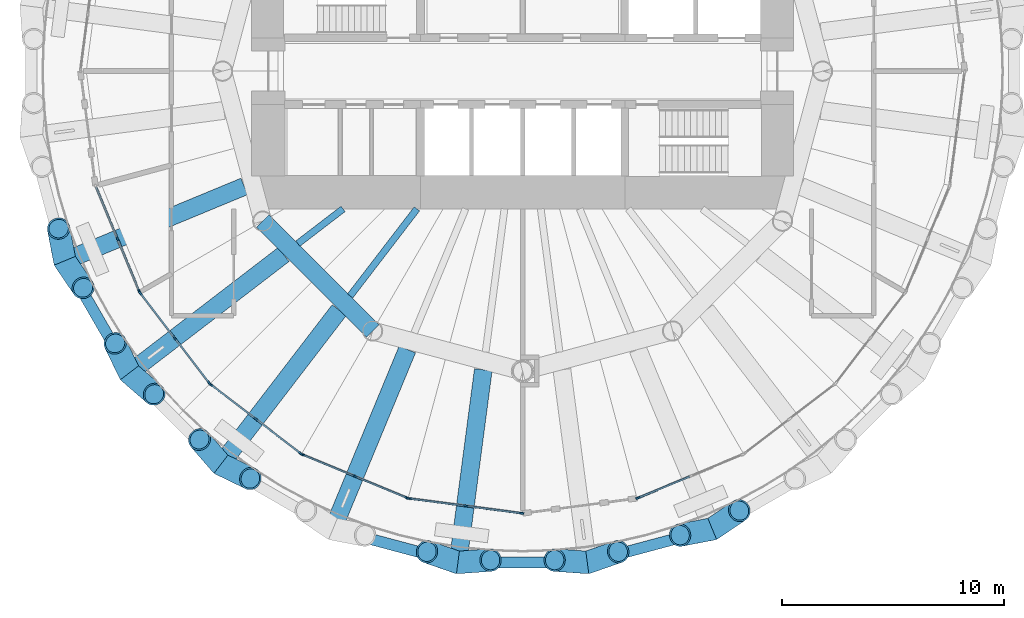
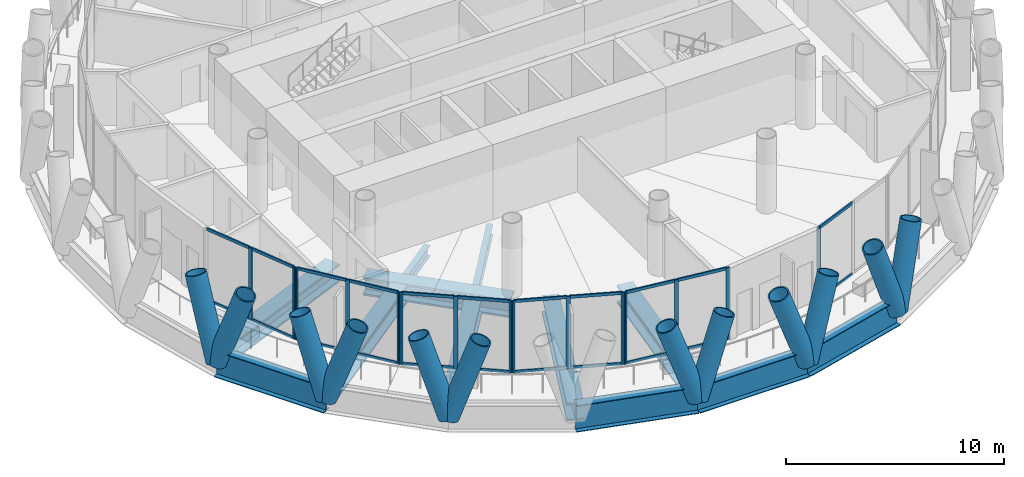
# One storey, part 2 of 16: 49 members, 12 beams, 6 elements without a shape of their own.
"""IFC4 building model written with IfcOpenShell, lengths in metres."""

import ifcopenshell
import ifcopenshell.guid

model = None  # the IFC model being written
_history = None  # IfcOwnerHistory: only IFC2X3 demands one
_inside = {}  # id of a spatial element -> (the spatial element, [elements in it])
_under = {}  # id of a project, library or spatial element -> (it, [spatial elements below it])
_declared = {}  # id of a project -> (the project, [libraries it declares])
_typed = {}  # id of a type object -> (the type object, [elements of that type])
_made_of = {}  # id of a material, layer set ... -> (it, [elements and type objects made of it])


def new_model(schema):
    """Start an empty IFC model of exactly this schema.

    Asked for "IFC4X3", IfcOpenShell would pick the latest addendum, in which some entities
    have other attributes; the version numbers below select the first issue.
    IFC2X3 requires an IfcOwnerHistory on every rooted entity: one is made here for all.
    """
    global model, _history
    if schema == "IFC4X3":
        model = ifcopenshell.file(schema_version=(4, 3, 0, 0))
    else:
        model = ifcopenshell.file(schema=schema)
    _inside.clear()
    _under.clear()
    _declared.clear()
    _typed.clear()
    _made_of.clear()
    _history = None
    if model.schema == "IFC2X3":
        org = make("IfcOrganization", Name="unknown")
        user = make(
            "IfcPersonAndOrganization",
            ThePerson=make("IfcPerson", FamilyName="unknown"),
            TheOrganization=org,
        )
        app = make(
            "IfcApplication",
            ApplicationDeveloper=org,
            Version="unknown",
            ApplicationFullName="unknown",
            ApplicationIdentifier="unknown",
        )
        _history = make(
            "IfcOwnerHistory",
            OwningUser=user,
            OwningApplication=app,
            ChangeAction="ADDED",
            CreationDate=0,
        )
    return model


def make(cls, **values):
    """One entity of the class cls with the attributes given. An attribute that is None is left unset."""
    return model.create_entity(
        cls, **{name: value for name, value in values.items() if value is not None}
    )


def rooted(cls, **values):
    """An entity with a GlobalId (a new one), such as an element, a storey or a relation."""
    return make(cls, GlobalId=ifcopenshell.guid.new(), OwnerHistory=_history, **values)


def si_unit(unit_type, name, prefix=None):
    """IfcSIUnit, for example si_unit("LENGTHUNIT", "METRE", prefix="MILLI")."""
    return make("IfcSIUnit", UnitType=unit_type, Prefix=prefix, Name=name)


def assignment(units):
    """IfcUnitAssignment: the units of a project."""
    return None if units is None else make("IfcUnitAssignment", Units=units)


def point(xyz):
    """IfcCartesianPoint."""
    return None if xyz is None else make("IfcCartesianPoint", Coordinates=xyz)


def direction(xyz):
    """IfcDirection."""
    return None if xyz is None else make("IfcDirection", DirectionRatios=xyz)


def frame(location, z_axis=None, x_axis=None):
    """IfcAxis2Placement3D, a coordinate frame: its origin and axes. An axis left out is left unset."""
    return make(
        "IfcAxis2Placement3D",
        Location=point(location),
        Axis=direction(z_axis),
        RefDirection=direction(x_axis),
    )


def frame_2d(location, x_axis=None):
    """IfcAxis2Placement2D, a coordinate frame in the plane: its origin and x axis."""
    return make(
        "IfcAxis2Placement2D", Location=point(location), RefDirection=direction(x_axis)
    )


def origin():
    """The frame at (0, 0, 0) with its axes left unset."""
    return frame((0.0, 0.0, 0.0))


def origin_2d():
    """The frame at (0, 0) in the plane with its x axis left unset."""
    return frame_2d((0.0, 0.0))


def place(relative_to, where):
    """IfcLocalPlacement: puts the frame where relative to a parent placement (None: the world)."""
    return make(
        "IfcLocalPlacement", PlacementRelTo=relative_to, RelativePlacement=where
    )


def context(
    kind, dimensions, precision=None, world=None, true_north=None, identifier=None
):
    """IfcGeometricRepresentationContext, for example the 3D "Model" context."""
    return make(
        "IfcGeometricRepresentationContext",
        ContextIdentifier=identifier,
        ContextType=kind,
        CoordinateSpaceDimension=dimensions,
        Precision=precision,
        WorldCoordinateSystem=world,
        TrueNorth=true_north,
    )


def subcontext(parent, identifier, kind, view, scale=None):
    """IfcGeometricRepresentationSubContext, for example "Body" below "Model"."""
    return make(
        "IfcGeometricRepresentationSubContext",
        ContextIdentifier=identifier,
        ContextType=kind,
        ParentContext=parent,
        TargetScale=scale,
        TargetView=view,
    )


def project(units=None, contexts=None):
    """IfcProject with its units and contexts."""
    return rooted(
        "IfcProject",
        Name="project",
        RepresentationContexts=contexts,
        UnitsInContext=assignment(units),
    )


def spatial(cls, under=None, at=None, **own):
    """A site, building, storey or space (cls), placed at a placement, below another one or the project."""
    s = rooted(cls, ObjectPlacement=at, **own)
    if under is not None:
        _under.setdefault(under.id(), (under, []))[1].append(s)
    return s


def profile(cls, at=None, kind="AREA", **sizes):
    """A parametric profile (cls). Its sizes go by their IFC names, for example OverallWidth=200.0."""
    return make(cls, ProfileType=kind, Position=at, **sizes)


def rectangle(**sizes):
    """IfcRectangleProfileDef."""
    return profile("IfcRectangleProfileDef", **sizes)


def hollow_circle(**sizes):
    """IfcCircleHollowProfileDef."""
    return profile("IfcCircleHollowProfileDef", **sizes)


def i_section(**sizes):
    """IfcIShapeProfileDef."""
    return profile("IfcIShapeProfileDef", **sizes)


def extrude(swept, where, along, depth):
    """IfcExtrudedAreaSolid: the profile swept, set in the frame where, extruded along a direction by depth."""
    return make(
        "IfcExtrudedAreaSolid",
        SweptArea=swept,
        Position=where,
        ExtrudedDirection=direction(along),
        Depth=depth,
    )


def shape(context_of_items, identifier, shape_type, items):
    """IfcShapeRepresentation: the items that make up one representation, for example the "Body"."""
    return make(
        "IfcShapeRepresentation",
        ContextOfItems=context_of_items,
        RepresentationIdentifier=identifier,
        RepresentationType=shape_type,
        Items=items,
    )


def material(Name=None, Category=None):
    """IfcMaterial."""
    return make("IfcMaterial", Name=Name, Category=Category)


def material_profile(
    of_material, cross_section, Name=None, Category=None, Priority=None
):
    """IfcMaterialProfile: a cross section and its material."""
    return make(
        "IfcMaterialProfile",
        Name=Name,
        Material=of_material,
        Profile=cross_section,
        Priority=Priority,
        Category=Category,
    )


def profile_set(profiles, Name=None, composite=None):
    """IfcMaterialProfileSet."""
    return make(
        "IfcMaterialProfileSet",
        Name=Name,
        MaterialProfiles=profiles,
        CompositeProfile=composite,
    )


def made_of(thing, what):
    """Note that an element or type object is made of a material, layer set ...; save() writes the relation."""
    if what is not None:
        _made_of.setdefault(what.id(), (what, []))[1].append(thing)
    return thing


def type_object(cls, material=None, **own):
    """A type object (cls), such as IfcWallType, which elements share."""
    return made_of(rooted(cls, **own), material)


def element(
    cls,
    number,
    at=None,
    inside=None,
    cuts=None,
    type_object=None,
    material=None,
    context=None,
    identifier="Body",
    shape_type=None,
    held_by="IfcProductDefinitionShape",
    body=None,
    shapes=None,
    **own,
):
    """One element of the class cls, such as IfcWall. Its Tag is "e" and its number.

    at: its placement. inside: the storey or other place that contains it. cuts: it is an
    opening in that element (IfcRelVoidsElement). A single representation is given by context,
    identifier, shape_type and body (its items); several are given by shapes. held_by: the class
    of the entity that holds the representations. save() writes the other relations.
    """
    e = rooted(cls, Tag="e%d" % number, ObjectPlacement=at, **own)
    if body is not None:
        shapes = [shape(context, identifier, shape_type, body)]
    if shapes is not None:
        e.Representation = make(held_by, Representations=shapes)
    if inside is not None:
        _inside.setdefault(inside.id(), (inside, []))[1].append(e)
    if cuts is not None:
        rooted(
            "IfcRelVoidsElement", RelatingBuildingElement=cuts, RelatedOpeningElement=e
        )
    if type_object is not None:
        _typed.setdefault(type_object.id(), (type_object, []))[1].append(e)
    return made_of(e, material)


def aggregate(whole, parts):
    """IfcRelAggregates: a whole, such as a stair, and the parts it consists of."""
    return rooted("IfcRelAggregates", RelatingObject=whole, RelatedObjects=parts)


def save(model, path):
    """Write the relations noted so far, then the file.

    IfcRelAggregates (storeys below a building ...), IfcRelContainedInSpatialStructure (elements
    in a storey), IfcRelDefinesByType, IfcRelAssociatesMaterial and IfcRelDeclares: one each for
    every whole, place, type object, material and project.
    """
    for whole, parts in _under.values():
        aggregate(whole, parts)
    for where, things in _inside.values():
        rooted(
            "IfcRelContainedInSpatialStructure",
            RelatedElements=things,
            RelatingStructure=where,
        )
    for kind, things in _typed.values():
        rooted("IfcRelDefinesByType", RelatedObjects=things, RelatingType=kind)
    for what, things in _made_of.values():
        rooted("IfcRelAssociatesMaterial", RelatedObjects=things, RelatingMaterial=what)
    for by, libraries in _declared.values():
        rooted("IfcRelDeclares", RelatingContext=by, RelatedDefinitions=libraries)
    model.write(path)


model = new_model("IFC4")

# Units and contexts
model_context = context("Model", 3, precision=1e-05, world=origin(), true_north=direction((0.0, 1.0)))
body_context = subcontext(model_context, "Body", "Model", "MODEL_VIEW")
ifc_project = project(units=[si_unit("LENGTHUNIT", "METRE"), si_unit("AREAUNIT", "SQUARE_METRE"), si_unit("VOLUMEUNIT", "CUBIC_METRE"), si_unit("PLANEANGLEUNIT", "RADIAN"), si_unit("MASSUNIT", "GRAM", prefix="KILO")], contexts=[model_context])

# Site, building, storey
site_placement = place(None, origin())
site = spatial("IfcSite", under=ifc_project, at=site_placement, CompositionType="ELEMENT")
building_placement = place(site_placement, origin())
building = spatial("IfcBuilding", under=site, at=building_placement, Name="Qaws Media Tower", CompositionType="ELEMENT")
storey_placement = place(building_placement, frame((0.0, 0.0, 252.800048828125)))
storey = spatial("IfcBuildingStorey", under=building, at=storey_placement, Name="L58", CompositionType="ELEMENT", Elevation=252.800048828125)

# Curtain wall, members
ifc_material_1 = material(Name="Aluminium and clear glass", Category="aluminium")
curtain_wall_type = type_object("IfcCurtainWallType", Name="Unitised curtain wall CW-C", PredefinedType="NOTDEFINED", material=ifc_material_1)
curtain_wall_1_placement = place(storey_placement, origin())
curtain_wall_1 = element("IfcCurtainWall", 1, at=curtain_wall_1_placement, inside=storey, type_object=curtain_wall_type, Name="CWC curtain wall L58-14", PredefinedType="NOTDEFINED")
ifc_material_2 = material(Name="Aluminium mullion", Category="aluminium")
ifc_material_profile_1 = material_profile(ifc_material_2, rectangle(XDim=0.080078125, YDim=0.199951171875, at=origin_2d()), Name="80x200")
ifc_profile_set_1 = profile_set([ifc_material_profile_1], Name="Aluminium mullion")
member_type_1 = type_object("IfcMemberType", Name="Curtain wall mullion 80x200", PredefinedType="MULLION", material=ifc_profile_set_1)
member_1_placement = place(storey_placement, frame((41.77197265625, 42.44970703125, 0.0), z_axis=(0.0, 0.0, 1.0), x_axis=(0.923879560196, 0.382683365528, 0.0)))
member_1 = element("IfcMember", 2, at=member_1_placement, type_object=member_type_1, Name="CWC mullion 2", PredefinedType="MULLION", context=body_context, shape_type="SweptSolid", body=[
    extrude(rectangle(XDim=0.080078125, YDim=0.199951171875, at=origin_2d()), origin(), (0.0, 0.0, 1.0), 4.0400390625),
])
member_2_placement = place(storey_placement, frame((42.750732421875, 40.0869140625, 0.0), z_axis=(0.0, 0.0, 1.0), x_axis=(0.923879560196, 0.382683365528, 0.0)))
member_2 = element("IfcMember", 3, at=member_2_placement, type_object=member_type_1, Name="CWC mullion 3", PredefinedType="MULLION", context=body_context, shape_type="SweptSolid", body=[
    extrude(rectangle(XDim=0.080078125, YDim=0.199951171875, at=origin_2d()), origin(), (0.0, 0.0, 1.0), 4.0400390625),
])

curtain_wall_2_placement = place(storey_placement, origin())
curtain_wall_2 = element("IfcCurtainWall", 4, at=curtain_wall_2_placement, inside=storey, type_object=curtain_wall_type, Name="CWC curtain wall L58-15", PredefinedType="NOTDEFINED")
member_3_placement = place(storey_placement, frame((42.79052734375, 40.018310546875, 0.0), z_axis=(0.0, 0.0, 1.0), x_axis=(0.793353306026, 0.608761473664, 0.0)))
member_3 = element("IfcMember", 5, at=member_3_placement, type_object=member_type_1, Name="CWC mullion 1", PredefinedType="MULLION", context=body_context, shape_type="SweptSolid", body=[
    extrude(rectangle(XDim=0.080078125, YDim=0.199951171875, at=origin_2d()), origin(), (0.0, 0.0, 1.0), 4.0400390625),
])
member_4_placement = place(storey_placement, frame((44.347412109375, 37.9892578125, 0.0), z_axis=(0.0, 0.0, 1.0), x_axis=(0.793353306026, 0.608761473664, 0.0)))
member_4 = element("IfcMember", 6, at=member_4_placement, type_object=member_type_1, Name="CWC mullion 2", PredefinedType="MULLION", context=body_context, shape_type="SweptSolid", body=[
    extrude(rectangle(XDim=0.080078125, YDim=0.199951171875, at=origin_2d()), origin(), (0.0, 0.0, 1.0), 4.0400390625),
])
member_5_placement = place(storey_placement, frame((45.904296875, 35.960205078125, 0.0), z_axis=(0.0, 0.0, 1.0), x_axis=(0.793353306026, 0.608761473664, 0.0)))
member_5 = element("IfcMember", 7, at=member_5_placement, type_object=member_type_1, Name="CWC mullion 3", PredefinedType="MULLION", context=body_context, shape_type="SweptSolid", body=[
    extrude(rectangle(XDim=0.080078125, YDim=0.199951171875, at=origin_2d()), origin(), (0.0, 0.0, 1.0), 4.0400390625),
])

curtain_wall_3_placement = place(storey_placement, origin())
curtain_wall_3 = element("IfcCurtainWall", 8, at=curtain_wall_3_placement, inside=storey, type_object=curtain_wall_type, Name="CWC curtain wall L58-16", PredefinedType="NOTDEFINED")
member_6_placement = place(storey_placement, frame((45.960205078125, 35.904296875, 0.0), z_axis=(0.0, 0.0, 1.0), x_axis=(0.608761473664, 0.793353306026, 0.0)))
member_6 = element("IfcMember", 9, at=member_6_placement, type_object=member_type_1, Name="CWC mullion 1", PredefinedType="MULLION", context=body_context, shape_type="SweptSolid", body=[
    extrude(rectangle(XDim=0.080078125, YDim=0.199951171875, at=origin_2d()), origin(), (0.0, 0.0, 1.0), 4.0400390625),
])
member_7_placement = place(storey_placement, frame((47.9892578125, 34.347412109375, 0.0), z_axis=(0.0, 0.0, 1.0), x_axis=(0.608761473664, 0.793353306026, 0.0)))
member_7 = element("IfcMember", 10, at=member_7_placement, type_object=member_type_1, Name="CWC mullion 2", PredefinedType="MULLION", context=body_context, shape_type="SweptSolid", body=[
    extrude(rectangle(XDim=0.080078125, YDim=0.199951171875, at=origin_2d()), origin(), (0.0, 0.0, 1.0), 4.0400390625),
])
member_8_placement = place(storey_placement, frame((50.018310546875, 32.79052734375, 0.0), z_axis=(0.0, 0.0, 1.0), x_axis=(0.608761473664, 0.793353306026, 0.0)))
member_8 = element("IfcMember", 11, at=member_8_placement, type_object=member_type_1, Name="CWC mullion 3", PredefinedType="MULLION", context=body_context, shape_type="SweptSolid", body=[
    extrude(rectangle(XDim=0.080078125, YDim=0.199951171875, at=origin_2d()), origin(), (0.0, 0.0, 1.0), 4.0400390625),
])

curtain_wall_4_placement = place(storey_placement, origin())
curtain_wall_4 = element("IfcCurtainWall", 12, at=curtain_wall_4_placement, inside=storey, type_object=curtain_wall_type, Name="CWC curtain wall L58-17", PredefinedType="NOTDEFINED")
member_9_placement = place(storey_placement, frame((50.0869140625, 32.750732421875, 0.0), z_axis=(0.0, 0.0, 1.0), x_axis=(0.382683365528, 0.923879560196, 0.0)))
member_9 = element("IfcMember", 13, at=member_9_placement, type_object=member_type_1, Name="CWC mullion 1", PredefinedType="MULLION", context=body_context, shape_type="SweptSolid", body=[
    extrude(rectangle(XDim=0.080078125, YDim=0.199951171875, at=origin_2d()), origin(), (0.0, 0.0, 1.0), 4.0400390625),
])
member_10_placement = place(storey_placement, frame((52.44970703125, 31.77197265625, 0.0), z_axis=(0.0, 0.0, 1.0), x_axis=(0.382683365528, 0.923879560196, 0.0)))
member_10 = element("IfcMember", 14, at=member_10_placement, type_object=member_type_1, Name="CWC mullion 2", PredefinedType="MULLION", context=body_context, shape_type="SweptSolid", body=[
    extrude(rectangle(XDim=0.080078125, YDim=0.199951171875, at=origin_2d()), origin(), (0.0, 0.0, 1.0), 4.0400390625),
])
member_11_placement = place(storey_placement, frame((54.8125, 30.79345703125, 0.0), z_axis=(0.0, 0.0, 1.0), x_axis=(0.382683365528, 0.923879560196, 0.0)))
member_11 = element("IfcMember", 15, at=member_11_placement, type_object=member_type_1, Name="CWC mullion 3", PredefinedType="MULLION", context=body_context, shape_type="SweptSolid", body=[
    extrude(rectangle(XDim=0.080078125, YDim=0.199951171875, at=origin_2d()), origin(), (0.0, 0.0, 1.0), 4.0400390625),
])

curtain_wall_5_placement = place(storey_placement, origin())
curtain_wall_5 = element("IfcCurtainWall", 16, at=curtain_wall_5_placement, inside=storey, type_object=curtain_wall_type, Name="CWC curtain wall L58-18", PredefinedType="NOTDEFINED")
member_12_placement = place(storey_placement, frame((54.88916015625, 30.77294921875, 0.0), z_axis=(0.0, 0.0, 1.0), x_axis=(0.130526181405, 0.991444862798, 0.0)))
member_12 = element("IfcMember", 17, at=member_12_placement, type_object=member_type_1, Name="CWC mullion 1", PredefinedType="MULLION", context=body_context, shape_type="SweptSolid", body=[
    extrude(rectangle(XDim=0.080078125, YDim=0.199951171875, at=origin_2d()), origin(), (0.0, 0.0, 1.0), 4.0400390625),
])
member_13_placement = place(storey_placement, frame((57.4248046875, 30.43896484375, 0.0), z_axis=(0.0, 0.0, 1.0), x_axis=(0.130526181405, 0.991444862798, 0.0)))
member_13 = element("IfcMember", 18, at=member_13_placement, type_object=member_type_1, Name="CWC mullion 2", PredefinedType="MULLION", context=body_context, shape_type="SweptSolid", body=[
    extrude(rectangle(XDim=0.080078125, YDim=0.199951171875, at=origin_2d()), origin(), (0.0, 0.0, 1.0), 4.0400390625),
])
member_14_placement = place(storey_placement, frame((59.96044921875, 30.105224609375, 0.0), z_axis=(0.0, 0.0, 1.0), x_axis=(0.130526181405, 0.991444862798, 0.0)))
member_14 = element("IfcMember", 19, at=member_14_placement, type_object=member_type_1, Name="CWC mullion 3", PredefinedType="MULLION", context=body_context, shape_type="SweptSolid", body=[
    extrude(rectangle(XDim=0.080078125, YDim=0.199951171875, at=origin_2d()), origin(), (0.0, 0.0, 1.0), 4.0400390625),
])

# Curtain wall, member
curtain_wall_6_placement = place(storey_placement, origin())
curtain_wall_6 = element("IfcCurtainWall", 20, at=curtain_wall_6_placement, inside=storey, type_object=curtain_wall_type, Name="CWC curtain wall L58-20", PredefinedType="NOTDEFINED")
member_15_placement = place(storey_placement, frame((65.1875, 30.79345703125, 0.0), z_axis=(0.0, 0.0, 1.0), x_axis=(-0.382683365528, 0.923879560196, 0.0)))
member_15 = element("IfcMember", 21, at=member_15_placement, type_object=member_type_1, Name="CWC mullion 1", PredefinedType="MULLION", context=body_context, shape_type="SweptSolid", body=[
    extrude(rectangle(XDim=0.080078125, YDim=0.199951171875, at=origin_2d()), origin(), (0.0, 0.0, 1.0), 4.0400390625),
])

# Member
ifc_material_3 = material(Name="Aluminium transom", Category="aluminium")
ifc_material_profile_2 = material_profile(ifc_material_3, rectangle(XDim=0.080078125, YDim=0.159912109375, at=origin_2d()), Name="80x160")
ifc_profile_set_2 = profile_set([ifc_material_profile_2], Name="Aluminium transom")
member_type_2 = type_object("IfcMemberType", Name="Curtain wall transom 80x160", PredefinedType="USERDEFINED", material=ifc_profile_set_2)
member_16_placement = place(storey_placement, frame((40.80859375, 44.775634765625, 0.0400390625), z_axis=(0.382746335528, -0.923853474659, 0.0), x_axis=(0.923853474659, 0.382746335528, 0.0)))
member_16 = element("IfcMember", 22, at=member_16_placement, type_object=member_type_2, Name="CWC transom 1.1", ObjectType="TRANSOM", PredefinedType="USERDEFINED", context=body_context, shape_type="SweptSolid", body=[
    extrude(rectangle(XDim=0.080078125, YDim=0.159912109375, at=origin_2d()), origin(), (0.0, 0.0, 1.0), 2.4775390625),
])

member_17_placement = place(storey_placement, frame((40.80859375, 44.775634765625, 4.0), z_axis=(0.382746335528, -0.923853474659, 0.0), x_axis=(0.923853474659, 0.382746335528, 0.0)))
member_17 = element("IfcMember", 23, at=member_17_placement, type_object=member_type_2, Name="CWC transom 1.2", ObjectType="TRANSOM", PredefinedType="USERDEFINED", context=body_context, shape_type="SweptSolid", body=[
    extrude(rectangle(XDim=0.080078125, YDim=0.159912109375, at=origin_2d()), origin(), (0.0, 0.0, 1.0), 2.4775390625),
])

member_18_placement = place(storey_placement, frame((41.787353515625, 42.412841796875, 0.0400390625), z_axis=(0.382746335528, -0.923853474659, 0.0), x_axis=(0.923853474659, 0.382746335528, 0.0)))
member_18 = element("IfcMember", 24, at=member_18_placement, type_object=member_type_2, Name="CWC transom 2.1", ObjectType="TRANSOM", PredefinedType="USERDEFINED", context=body_context, shape_type="SweptSolid", body=[
    extrude(rectangle(XDim=0.080078125, YDim=0.159912109375, at=origin_2d()), origin(), (0.0, 0.0, 1.0), 2.4775390625),
])

member_19_placement = place(storey_placement, frame((41.787353515625, 42.412841796875, 4.0), z_axis=(0.382746335528, -0.923853474659, 0.0), x_axis=(0.923853474659, 0.382746335528, 0.0)))
member_19 = element("IfcMember", 25, at=member_19_placement, type_object=member_type_2, Name="CWC transom 2.2", ObjectType="TRANSOM", PredefinedType="USERDEFINED", context=body_context, shape_type="SweptSolid", body=[
    extrude(rectangle(XDim=0.080078125, YDim=0.159912109375, at=origin_2d()), origin(), (0.0, 0.0, 1.0), 2.4775390625),
])

aggregate(curtain_wall_1, [member_1, member_2, member_16, member_17, member_18, member_19])

member_20_placement = place(storey_placement, frame((42.814697265625, 39.986572265625, 0.0400390625), z_axis=(0.608776960351, -0.793341422432, 0.0), x_axis=(0.793341422432, 0.608776960351, 0.0)))
member_20 = element("IfcMember", 26, at=member_20_placement, type_object=member_type_2, Name="CWC transom 1.1", ObjectType="TRANSOM", PredefinedType="USERDEFINED", context=body_context, shape_type="SweptSolid", body=[
    extrude(rectangle(XDim=0.080078125, YDim=0.159912109375, at=origin_2d()), origin(), (0.0, 0.0, 1.0), 2.4775390625),
])

member_21_placement = place(storey_placement, frame((42.814697265625, 39.986572265625, 4.0), z_axis=(0.608776960351, -0.793341422432, 0.0), x_axis=(0.793341422432, 0.608776960351, 0.0)))
member_21 = element("IfcMember", 27, at=member_21_placement, type_object=member_type_2, Name="CWC transom 1.2", ObjectType="TRANSOM", PredefinedType="USERDEFINED", context=body_context, shape_type="SweptSolid", body=[
    extrude(rectangle(XDim=0.080078125, YDim=0.159912109375, at=origin_2d()), origin(), (0.0, 0.0, 1.0), 2.4775390625),
])

member_22_placement = place(storey_placement, frame((44.37158203125, 37.95751953125, 0.0400390625), z_axis=(0.608776960351, -0.793341422432, 0.0), x_axis=(0.793341422432, 0.608776960351, 0.0)))
member_22 = element("IfcMember", 28, at=member_22_placement, type_object=member_type_2, Name="CWC transom 2.1", ObjectType="TRANSOM", PredefinedType="USERDEFINED", context=body_context, shape_type="SweptSolid", body=[
    extrude(rectangle(XDim=0.080078125, YDim=0.159912109375, at=origin_2d()), origin(), (0.0, 0.0, 1.0), 2.4775390625),
])

member_23_placement = place(storey_placement, frame((44.37158203125, 37.95751953125, 4.0), z_axis=(0.608776960351, -0.793341422432, 0.0), x_axis=(0.793341422432, 0.608776960351, 0.0)))
member_23 = element("IfcMember", 29, at=member_23_placement, type_object=member_type_2, Name="CWC transom 2.2", ObjectType="TRANSOM", PredefinedType="USERDEFINED", context=body_context, shape_type="SweptSolid", body=[
    extrude(rectangle(XDim=0.080078125, YDim=0.159912109375, at=origin_2d()), origin(), (0.0, 0.0, 1.0), 2.4775390625),
])

aggregate(curtain_wall_2, [member_3, member_4, member_5, member_20, member_21, member_22, member_23])

member_24_placement = place(storey_placement, frame((45.991943359375, 35.8798828125, 0.0400390625), z_axis=(0.793341422432, -0.608776960351, 0.0), x_axis=(0.608776960351, 0.793341422432, 0.0)))
member_24 = element("IfcMember", 30, at=member_24_placement, type_object=member_type_2, Name="CWC transom 1.1", ObjectType="TRANSOM", PredefinedType="USERDEFINED", context=body_context, shape_type="SweptSolid", body=[
    extrude(rectangle(XDim=0.080078125, YDim=0.159912109375, at=origin_2d()), origin(), (0.0, 0.0, 1.0), 2.4775390625),
])

member_25_placement = place(storey_placement, frame((45.991943359375, 35.8798828125, 4.0), z_axis=(0.793341422432, -0.608776960351, 0.0), x_axis=(0.608776960351, 0.793341422432, 0.0)))
member_25 = element("IfcMember", 31, at=member_25_placement, type_object=member_type_2, Name="CWC transom 1.2", ObjectType="TRANSOM", PredefinedType="USERDEFINED", context=body_context, shape_type="SweptSolid", body=[
    extrude(rectangle(XDim=0.080078125, YDim=0.159912109375, at=origin_2d()), origin(), (0.0, 0.0, 1.0), 2.4775390625),
])

member_26_placement = place(storey_placement, frame((48.02099609375, 34.322998046875, 0.0400390625), z_axis=(0.793341422432, -0.608776960351, 0.0), x_axis=(0.608776960351, 0.793341422432, 0.0)))
member_26 = element("IfcMember", 32, at=member_26_placement, type_object=member_type_2, Name="CWC transom 2.1", ObjectType="TRANSOM", PredefinedType="USERDEFINED", context=body_context, shape_type="SweptSolid", body=[
    extrude(rectangle(XDim=0.080078125, YDim=0.159912109375, at=origin_2d()), origin(), (0.0, 0.0, 1.0), 2.4775390625),
])

member_27_placement = place(storey_placement, frame((48.02099609375, 34.322998046875, 4.0), z_axis=(0.793341422432, -0.608776960351, 0.0), x_axis=(0.608776960351, 0.793341422432, 0.0)))
member_27 = element("IfcMember", 33, at=member_27_placement, type_object=member_type_2, Name="CWC transom 2.2", ObjectType="TRANSOM", PredefinedType="USERDEFINED", context=body_context, shape_type="SweptSolid", body=[
    extrude(rectangle(XDim=0.080078125, YDim=0.159912109375, at=origin_2d()), origin(), (0.0, 0.0, 1.0), 2.4775390625),
])

aggregate(curtain_wall_3, [member_6, member_7, member_8, member_24, member_25, member_26, member_27])

member_28_placement = place(storey_placement, frame((50.1240234375, 32.735595703125, 0.0400390625), z_axis=(0.923853474659, -0.382746335528, 0.0), x_axis=(0.382746335528, 0.923853474659, 0.0)))
member_28 = element("IfcMember", 34, at=member_28_placement, type_object=member_type_2, Name="CWC transom 1.1", ObjectType="TRANSOM", PredefinedType="USERDEFINED", context=body_context, shape_type="SweptSolid", body=[
    extrude(rectangle(XDim=0.080078125, YDim=0.159912109375, at=origin_2d()), origin(), (0.0, 0.0, 1.0), 2.4775390625),
])

member_29_placement = place(storey_placement, frame((50.1240234375, 32.735595703125, 4.0), z_axis=(0.923853474659, -0.382746335528, 0.0), x_axis=(0.382746335528, 0.923853474659, 0.0)))
member_29 = element("IfcMember", 35, at=member_29_placement, type_object=member_type_2, Name="CWC transom 1.2", ObjectType="TRANSOM", PredefinedType="USERDEFINED", context=body_context, shape_type="SweptSolid", body=[
    extrude(rectangle(XDim=0.080078125, YDim=0.159912109375, at=origin_2d()), origin(), (0.0, 0.0, 1.0), 2.4775390625),
])

member_30_placement = place(storey_placement, frame((52.48681640625, 31.7568359375, 0.0400390625), z_axis=(0.923853474659, -0.382746335528, 0.0), x_axis=(0.382746335528, 0.923853474659, 0.0)))
member_30 = element("IfcMember", 36, at=member_30_placement, type_object=member_type_2, Name="CWC transom 2.1", ObjectType="TRANSOM", PredefinedType="USERDEFINED", context=body_context, shape_type="SweptSolid", body=[
    extrude(rectangle(XDim=0.080078125, YDim=0.159912109375, at=origin_2d()), origin(), (0.0, 0.0, 1.0), 2.4775390625),
])

member_31_placement = place(storey_placement, frame((52.48681640625, 31.7568359375, 4.0), z_axis=(0.923853474659, -0.382746335528, 0.0), x_axis=(0.382746335528, 0.923853474659, 0.0)))
member_31 = element("IfcMember", 37, at=member_31_placement, type_object=member_type_2, Name="CWC transom 2.2", ObjectType="TRANSOM", PredefinedType="USERDEFINED", context=body_context, shape_type="SweptSolid", body=[
    extrude(rectangle(XDim=0.080078125, YDim=0.159912109375, at=origin_2d()), origin(), (0.0, 0.0, 1.0), 2.4775390625),
])

aggregate(curtain_wall_4, [member_9, member_10, member_11, member_28, member_29, member_30, member_31])

member_32_placement = place(storey_placement, frame((54.9287109375, 30.767578125, 0.0400390625), z_axis=(0.991451947497, -0.130472356474, 0.0), x_axis=(0.130472356474, 0.991451947497, 0.0)))
member_32 = element("IfcMember", 38, at=member_32_placement, type_object=member_type_2, Name="CWC transom 1.1", ObjectType="TRANSOM", PredefinedType="USERDEFINED", context=body_context, shape_type="SweptSolid", body=[
    extrude(rectangle(XDim=0.080078125, YDim=0.159912109375, at=origin_2d()), origin(), (0.0, 0.0, 1.0), 2.4775390625),
])

member_33_placement = place(storey_placement, frame((54.9287109375, 30.767578125, 4.0), z_axis=(0.991451947497, -0.130472356474, 0.0), x_axis=(0.130472356474, 0.991451947497, 0.0)))
member_33 = element("IfcMember", 39, at=member_33_placement, type_object=member_type_2, Name="CWC transom 1.2", ObjectType="TRANSOM", PredefinedType="USERDEFINED", context=body_context, shape_type="SweptSolid", body=[
    extrude(rectangle(XDim=0.080078125, YDim=0.159912109375, at=origin_2d()), origin(), (0.0, 0.0, 1.0), 2.4775390625),
])

member_34_placement = place(storey_placement, frame((57.46435546875, 30.433837890625, 0.0400390625), z_axis=(0.991439195556, -0.130569221162, 0.0), x_axis=(0.130569221162, 0.991439195556, 0.0)))
member_34 = element("IfcMember", 40, at=member_34_placement, type_object=member_type_2, Name="CWC transom 2.1", ObjectType="TRANSOM", PredefinedType="USERDEFINED", context=body_context, shape_type="SweptSolid", body=[
    extrude(rectangle(XDim=0.080078125, YDim=0.159912109375, at=origin_2d()), origin(), (0.0, 0.0, 1.0), 2.4775390625),
])

member_35_placement = place(storey_placement, frame((57.46435546875, 30.433837890625, 4.0), z_axis=(0.991439195556, -0.130569221162, 0.0), x_axis=(0.130569221162, 0.991439195556, 0.0)))
member_35 = element("IfcMember", 41, at=member_35_placement, type_object=member_type_2, Name="CWC transom 2.2", ObjectType="TRANSOM", PredefinedType="USERDEFINED", context=body_context, shape_type="SweptSolid", body=[
    extrude(rectangle(XDim=0.080078125, YDim=0.159912109375, at=origin_2d()), origin(), (0.0, 0.0, 1.0), 2.4775390625),
])

aggregate(curtain_wall_5, [member_12, member_13, member_14, member_32, member_33, member_34, member_35])

member_36_placement = place(storey_placement, frame((65.224365234375, 30.80859375, 0.0400390625), z_axis=(0.923853474659, 0.382746335528, 0.0), x_axis=(-0.382746335528, 0.923853474659, 0.0)))
member_36 = element("IfcMember", 42, at=member_36_placement, type_object=member_type_2, Name="CWC transom 1.1", ObjectType="TRANSOM", PredefinedType="USERDEFINED", context=body_context, shape_type="SweptSolid", body=[
    extrude(rectangle(XDim=0.080078125, YDim=0.159912109375, at=origin_2d()), origin(), (0.0, 0.0, 1.0), 2.4775390625),
])

member_37_placement = place(storey_placement, frame((65.224365234375, 30.80859375, 4.0), z_axis=(0.923853474659, 0.382746335528, 0.0), x_axis=(-0.382746335528, 0.923853474659, 0.0)))
member_37 = element("IfcMember", 43, at=member_37_placement, type_object=member_type_2, Name="CWC transom 1.2", ObjectType="TRANSOM", PredefinedType="USERDEFINED", context=body_context, shape_type="SweptSolid", body=[
    extrude(rectangle(XDim=0.080078125, YDim=0.159912109375, at=origin_2d()), origin(), (0.0, 0.0, 1.0), 2.4775390625),
])

aggregate(curtain_wall_6, [member_15, member_36, member_37])

# Members
ifc_material_4 = material(Name="Steel S460", Category="steel")
ifc_material_profile_3 = material_profile(ifc_material_4, hollow_circle(Radius=0.508056640625, WallThickness=0.070068359375, at=origin_2d()), Name="CHS 1016x70")
ifc_profile_set_3 = profile_set([ifc_material_profile_3], Name="Steel S460")
member_type_3 = type_object("IfcMemberType", Name="Diagrid member CHS 1016x70", PredefinedType="USERDEFINED", material=ifc_profile_set_3)
member_38_placement = place(storey_placement, frame((39.3974609375, 41.466064453125, -0.91015625), z_axis=(0.185679302452, -0.273774120691, 0.943700655653), x_axis=(0.827610579333, 0.561302707081, 0.0)))
element("IfcMember", 44, at=member_38_placement, inside=storey, type_object=member_type_3, Name="DG3 diagrid L58 A14", ObjectType="DIAGRID", PredefinedType="USERDEFINED", context=body_context, shape_type="SweptSolid", body=[
    extrude(hollow_circle(Radius=0.508056640625, WallThickness=0.070068359375, at=origin_2d()), origin(), (0.0, 0.0, 1.0), 4.45068359375),
])
for number, where, z_axis, x_axis, name in (
    (45, (39.3974609375, 41.466064453125, -0.91015625), (-0.062312148052, 0.324944687554, 0.943677988636), (-0.982105639772, -0.188330858673, 0.0), "DG3 diagrid L58 B14"),
    (46, (42.30810546875, 36.424560546875, -0.91015625), (0.250239472427, -0.216395159738, 0.943691337929), (0.654103222273, 0.756405297848, 0.0), "DG3 diagrid L58 A15"),
    (47, (42.30810546875, 36.424560546875, -0.91015625), (-0.144262308007, 0.297739850899, 0.943683934204), (-0.899928467789, -0.436037559006, 0.0), "DG3 diagrid L58 B15"),
    (48, (46.424560546875, 32.30810546875, -0.91015625), (0.297739850899, -0.144262308007, 0.943683934204), (0.436037559006, 0.899928467789, 0.0), "DG3 diagrid L58 A16"),
    (49, (46.424560546875, 32.30810546875, -0.91015625), (-0.216395159738, 0.250239472427, 0.943691337929), (-0.756405297848, -0.654103222273, 0.0), "DG3 diagrid L58 B16"),
):
    element("IfcMember", number, at=place(storey_placement, frame(where, z_axis=z_axis, x_axis=x_axis)), inside=storey, type_object=member_type_3, Name=name, ObjectType="DIAGRID", PredefinedType="USERDEFINED", context=body_context, shape_type="SweptSolid", body=[
        extrude(hollow_circle(Radius=0.508056640625, WallThickness=0.070068359375, at=origin_2d()), origin(), (0.0, 0.0, 1.0), 4.450927734375),
    ])
member_39_placement = place(storey_placement, frame((57.08935546875, 27.890869140625, -0.91015625), z_axis=(0.329943166477, 0.023916079898, 0.943697794857), x_axis=(-0.072295775759, 0.997383236679, 0.0)))
element("IfcMember", 50, at=member_39_placement, inside=storey, type_object=member_type_3, Name="DG3 diagrid L58 A18", ObjectType="DIAGRID", PredefinedType="USERDEFINED", context=body_context, shape_type="SweptSolid", body=[
    extrude(hollow_circle(Radius=0.508056640625, WallThickness=0.070068359375, at=origin_2d()), origin(), (0.0, 0.0, 1.0), 4.45068359375),
])
for number, where, z_axis, x_axis, name in (
    (51, (57.08935546875, 27.890869140625, -0.91015625), (-0.312550236019, 0.10849848488, 0.943684496399), (-0.327941819713, -0.944697921498, 0.0), "DG3 diagrid L58 B18"),
    (52, (62.91064453125, 27.890869140625, -0.91015625), (0.312550236019, 0.10849848488, 0.943684496399), (-0.327941819713, 0.944697921498, 0.0), "DG3 diagrid L58 A19"),
):
    element("IfcMember", number, at=place(storey_placement, frame(where, z_axis=z_axis, x_axis=x_axis)), inside=storey, type_object=member_type_3, Name=name, ObjectType="DIAGRID", PredefinedType="USERDEFINED", context=body_context, shape_type="SweptSolid", body=[
        extrude(hollow_circle(Radius=0.508056640625, WallThickness=0.070068359375, at=origin_2d()), origin(), (0.0, 0.0, 1.0), 4.450927734375),
    ])
for number, where, z_axis, x_axis, name in (
    (53, (62.91064453125, 27.890869140625, -0.91015625), (-0.329943166477, 0.023916079898, 0.943697794857), (-0.072295775759, -0.997383236679, 0.0), "DG3 diagrid L58 B19"),
    (54, (68.533935546875, 29.3974609375, -0.91015625), (0.273774120691, 0.185679302452, 0.943700655653), (-0.561302707081, 0.827610579333, 0.0), "DG3 diagrid L58 A20"),
):
    element("IfcMember", number, at=place(storey_placement, frame(where, z_axis=z_axis, x_axis=x_axis)), inside=storey, type_object=member_type_3, Name=name, ObjectType="DIAGRID", PredefinedType="USERDEFINED", context=body_context, shape_type="SweptSolid", body=[
        extrude(hollow_circle(Radius=0.508056640625, WallThickness=0.070068359375, at=origin_2d()), origin(), (0.0, 0.0, 1.0), 4.45068359375),
    ])
member_40_placement = place(storey_placement, frame((68.533935546875, 29.3974609375, -0.91015625), z_axis=(-0.324944687554, -0.062312148052, 0.943677988636), x_axis=(0.188330858673, -0.982105639772, 0.0)))
element("IfcMember", 55, at=member_40_placement, inside=storey, type_object=member_type_3, Name="DG3 diagrid L58 B20", ObjectType="DIAGRID", PredefinedType="USERDEFINED", context=body_context, shape_type="SweptSolid", body=[
    extrude(hollow_circle(Radius=0.508056640625, WallThickness=0.070068359375, at=origin_2d()), origin(), (0.0, 0.0, 1.0), 4.450927734375),
])

# Beams
ifc_material_5 = material(Name="Steel S460", Category="steel")
ifc_material_profile_4 = material_profile(ifc_material_5, i_section(OverallWidth=0.5, OverallDepth=1.5, WebThickness=0.02001953125, FlangeThickness=0.0400390625, at=origin_2d()), Name="PG 1500x500")
ifc_profile_set_4 = profile_set([ifc_material_profile_4], Name="Steel S460")
beam_type_1 = type_object("IfcBeamType", Name="Edge ring beam PG 1500x500", PredefinedType="BEAM", material=ifc_profile_set_4)
beam_1_placement = place(storey_placement, frame((39.3974609375, 41.466064453125, -0.91015625), z_axis=(0.499991096673, -0.866030544062, 0.0), x_axis=(0.866030544062, 0.499991096673, 0.0)))
element("IfcBeam", 56, at=beam_1_placement, inside=storey, type_object=beam_type_1, Name="RB4 edge ring beam L58-14", PredefinedType="BEAM", context=body_context, shape_type="SweptSolid", body=[
    extrude(i_section(OverallWidth=0.5, OverallDepth=1.5, WebThickness=0.02001953125, FlangeThickness=0.0400390625, at=origin_2d()), origin(), (0.0, 0.0, 1.0), 5.8212890625),
])
beam_2_placement = place(storey_placement, frame((51.466064453125, 29.3974609375, -0.91015625), z_axis=(0.96593288967, -0.258792682766, 0.0), x_axis=(0.258792682766, 0.96593288967, 0.0)))
element("IfcBeam", 57, at=beam_2_placement, inside=storey, type_object=beam_type_1, Name="RB4 edge ring beam L58-17", PredefinedType="BEAM", context=body_context, shape_type="SweptSolid", body=[
    extrude(i_section(OverallWidth=0.5, OverallDepth=1.5, WebThickness=0.02001953125, FlangeThickness=0.0400390625, at=origin_2d()), origin(), (0.0, 0.0, 1.0), 5.821533203125),
])
beam_3_placement = place(storey_placement, frame((57.08935546875, 27.890869140625, -0.91015625), z_axis=(1.0, 0.0, 0.0), x_axis=(0.0, 1.0, 0.0)))
element("IfcBeam", 58, at=beam_3_placement, inside=storey, type_object=beam_type_1, Name="RB4 edge ring beam L58-18", PredefinedType="BEAM", context=body_context, shape_type="SweptSolid", body=[
    extrude(i_section(OverallWidth=0.5, OverallDepth=1.5, WebThickness=0.02001953125, FlangeThickness=0.0400390625, at=origin_2d()), origin(), (0.0, 0.0, 1.0), 5.8212890625),
])
beam_4_placement = place(storey_placement, frame((62.91064453125, 27.890869140625, -0.91015625), z_axis=(0.96593288967, 0.258792682766, 0.0), x_axis=(-0.258792682766, 0.96593288967, 0.0)))
element("IfcBeam", 59, at=beam_4_placement, inside=storey, type_object=beam_type_1, Name="RB4 edge ring beam L58-19", PredefinedType="BEAM", context=body_context, shape_type="SweptSolid", body=[
    extrude(i_section(OverallWidth=0.5, OverallDepth=1.5, WebThickness=0.02001953125, FlangeThickness=0.0400390625, at=origin_2d()), origin(), (0.0, 0.0, 1.0), 5.821533203125),
])
ifc_material_6 = material(Name="Steel S460", Category="steel")
ifc_material_profile_5 = material_profile(ifc_material_6, i_section(OverallWidth=0.800048828125, OverallDepth=1.0, WebThickness=0.0400390625, FlangeThickness=0.10009765625, at=origin_2d()), Name="PG 1000x800")
ifc_profile_set_5 = profile_set([ifc_material_profile_5], Name="Steel S460")
beam_type_2 = type_object("IfcBeamType", Name="Inner ring girder PG 1000x800", PredefinedType="BEAM", material=ifc_profile_set_5)
beam_5_placement = place(storey_placement, frame((48.30859375, 43.25, -0.66015625), z_axis=(0.707106781187, -0.707106781187, 0.0), x_axis=(0.707106781187, 0.707106781187, 0.0)))
element("IfcBeam", 60, at=beam_5_placement, inside=storey, type_object=beam_type_2, Name="B3 inner ring beam L58 I08-I09", PredefinedType="BEAM", context=body_context, shape_type="SweptSolid", body=[
    extrude(i_section(OverallWidth=0.800048828125, OverallDepth=1.0, WebThickness=0.0400390625, FlangeThickness=0.10009765625, at=origin_2d()), origin(), (0.0, 0.0, 1.0), 6.98828125),
])
ifc_material_7 = material(Name="Steel S355", Category="steel")
ifc_material_profile_6 = material_profile(ifc_material_7, i_section(OverallWidth=0.304931640625, OverallDepth=0.6201171875, WebThickness=0.02099609375, FlangeThickness=0.0400390625, FilletRadius=0.027099609375, at=origin_2d()), Name="HE 600 M")
ifc_profile_set_6 = profile_set([ifc_material_profile_6], Name="Steel S355")
beam_type_3 = type_object("IfcBeamType", Name="Radial beam HE 600 M, core side", PredefinedType="BEAM", material=ifc_profile_set_6)
beam_6_placement = place(storey_placement, frame((51.919921875, 43.800048828125, -0.469970703125), z_axis=(-0.793313603331, -0.608813211725, 0.0), x_axis=(0.608813211725, -0.793313603331, 0.0)))
element("IfcBeam", 61, at=beam_6_placement, inside=storey, type_object=beam_type_3, Name="B2 radial beam L58 15", PredefinedType="BEAM", context=body_context, shape_type="SweptSolid", body=[
    extrude(i_section(OverallWidth=0.304931640625, OverallDepth=0.6201171875, WebThickness=0.02099609375, FlangeThickness=0.0400390625, FilletRadius=0.027099609375, at=origin_2d()), origin(), (0.0, 0.0, 1.0), 2.564453125),
])
beam_7_placement = place(storey_placement, frame((55.24267578125, 43.800048828125, -0.469970703125), z_axis=(-0.60878257667, -0.793337112672, 0.0), x_axis=(0.793337112672, -0.60878257667, 0.0)))
element("IfcBeam", 62, at=beam_7_placement, inside=storey, type_object=beam_type_3, Name="B2 radial beam L58 16", PredefinedType="BEAM", context=body_context, shape_type="SweptSolid", body=[
    extrude(i_section(OverallWidth=0.304931640625, OverallDepth=0.6201171875, WebThickness=0.02099609375, FlangeThickness=0.0400390625, FilletRadius=0.027099609375, at=origin_2d()), origin(), (0.0, 0.0, 1.0), 4.934326171875),
])
ifc_material_8 = material(Name="Steel S460", Category="steel")
ifc_material_profile_7 = material_profile(ifc_material_8, i_section(OverallWidth=0.800048828125, OverallDepth=1.0, WebThickness=0.0400390625, FlangeThickness=0.10009765625, at=origin_2d()), Name="PG 1000x800")
ifc_profile_set_7 = profile_set([ifc_material_profile_7], Name="Steel S460")
beam_type_4 = type_object("IfcBeamType", Name="Radial girder PG 1000x800", PredefinedType="BEAM", material=ifc_profile_set_7)
beam_8_placement = place(storey_placement, frame((47.475830078125, 44.812255859375, -0.66015625), z_axis=(-0.923878669392, -0.382685516114, 0.0), x_axis=(0.382685516114, -0.923878669392, 0.0)))
element("IfcBeam", 63, at=beam_8_placement, inside=storey, type_object=beam_type_4, Name="B1 radial beam L58 14", PredefinedType="BEAM", context=body_context, shape_type="SweptSolid", body=[
    extrude(i_section(OverallWidth=0.800048828125, OverallDepth=1.0, WebThickness=0.0400390625, FlangeThickness=0.10009765625, at=origin_2d()), origin(), (0.0, 0.0, 1.0), 8.743896484375),
])
for number, where, z_axis, x_axis, name in (
    (64, (49.245361328125, 41.74755859375, -0.66015625), (-0.793361381928, -0.608750948801, 0.0), (0.608750948801, -0.793361381928, 0.0), "B1 radial beam L58 15"),
    (65, (51.74755859375, 39.245361328125, -0.66015625), (-0.608750948801, -0.793361381928, 0.0), (0.793361381928, -0.608750948801, 0.0), "B1 radial beam L58 16"),
):
    element("IfcBeam", number, at=place(storey_placement, frame(where, z_axis=z_axis, x_axis=x_axis)), inside=storey, type_object=beam_type_4, Name=name, PredefinedType="BEAM", context=body_context, shape_type="SweptSolid", body=[
        extrude(i_section(OverallWidth=0.800048828125, OverallDepth=1.0, WebThickness=0.0400390625, FlangeThickness=0.10009765625, at=origin_2d()), origin(), (0.0, 0.0, 1.0), 8.744140625),
    ])
for number, where, z_axis, x_axis, name in (
    (66, (54.812255859375, 37.475830078125, -0.66015625), (-0.382685516114, -0.923878669392, 0.0), (0.923878669392, -0.382685516114, 0.0), "B1 radial beam L58 17"),
    (67, (58.230712890625, 36.56005859375, -0.66015625), (-0.130530349162, -0.991444314093, 0.0), (0.991444314093, -0.130530349162, 0.0), "B1 radial beam L58 18"),
):
    element("IfcBeam", number, at=place(storey_placement, frame(where, z_axis=z_axis, x_axis=x_axis)), inside=storey, type_object=beam_type_4, Name=name, PredefinedType="BEAM", context=body_context, shape_type="SweptSolid", body=[
        extrude(i_section(OverallWidth=0.800048828125, OverallDepth=1.0, WebThickness=0.0400390625, FlangeThickness=0.10009765625, at=origin_2d()), origin(), (0.0, 0.0, 1.0), 8.743896484375),
    ])

save(model, "model.ifc")
